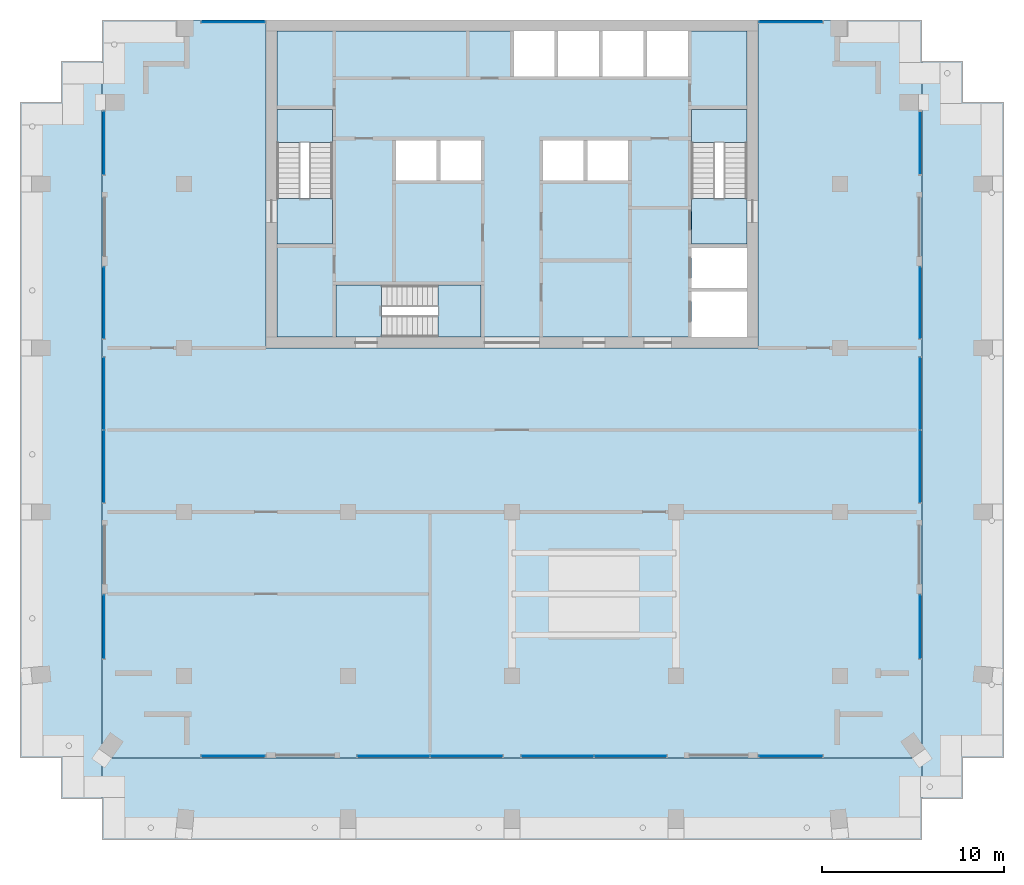
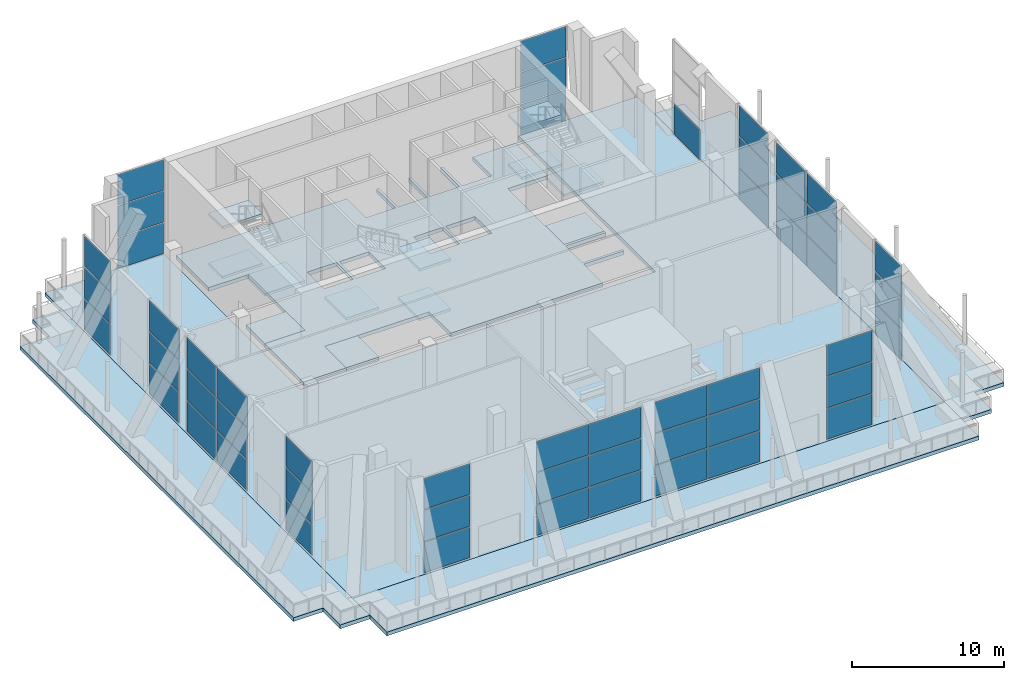
# One storey, part 6 of 12: 52 plates, 17 slabs, 17 elements without a shape of their own.
"""IFC4 building model written with IfcOpenShell, lengths in metres."""

from ifc_helpers import new_model, si_unit, direction, frame, origin, origin_2d, place, context, subcontext, project, spatial, polyline, rectangle, outline, extrude, material, layer, layer_set, type_object, element, aggregate, save


model = new_model("IFC4")

# Units and contexts
model_context = context("Model", 3, precision=1e-05, world=origin(), true_north=direction((0.0, 1.0)))
body_context = subcontext(model_context, "Body", "Model", "MODEL_VIEW")
ifc_project = project(units=[si_unit("LENGTHUNIT", "METRE"), si_unit("AREAUNIT", "SQUARE_METRE"), si_unit("VOLUMEUNIT", "CUBIC_METRE"), si_unit("PLANEANGLEUNIT", "RADIAN"), si_unit("MASSUNIT", "GRAM", prefix="KILO")], contexts=[model_context])

# Site, building, storey
site_placement = place(None, origin())
site = spatial("IfcSite", under=ifc_project, at=site_placement, CompositionType="ELEMENT")
building_placement = place(site_placement, origin())
building = spatial("IfcBuilding", under=site, at=building_placement, Name="Orbiselva Terraces", CompositionType="ELEMENT")
storey_placement = place(building_placement, frame((0.0, 0.0, 289.4)))
storey = spatial("IfcBuildingStorey", under=building, at=storey_placement, Name="L73", CompositionType="ELEMENT", Elevation=289.4)

# Slabs
ifc_material_1 = material(Name="Concrete C40/50", Category="concrete")
ifc_layer_1 = layer(ifc_material_1, 0.3)
ifc_layer_set_1 = layer_set([ifc_layer_1], Name="Concrete C40/50")
slab_type_1 = type_object("IfcSlabType", Name="CORE-SLAB-FLOOR-300", PredefinedType="FLOOR", material=ifc_layer_set_1)
slab_1_placement = place(storey_placement, frame((0.0, 0.0, -0.3)))
element("IfcSlab", 1, at=slab_1_placement, inside=storey, type_object=slab_type_1, Name="L73 S1 floor landing", PredefinedType="FLOOR", context=body_context, shape_type="SweptSolid", body=[
    extrude(outline(polyline([(-12.9, 12.7), (-9.85, 12.7), (-9.85, 10.2), (-12.9, 10.2), (-12.9, 12.7)])), origin(), (0.0, 0.0, 1.0), 0.3),
])
slab_2_placement = place(storey_placement, frame((0.0, 0.0, -0.3)))
element("IfcSlab", 2, at=slab_2_placement, inside=storey, type_object=slab_type_1, Name="L73 S2 floor landing", PredefinedType="FLOOR", context=body_context, shape_type="SweptSolid", body=[
    extrude(outline(polyline([(12.9, 12.7), (12.9, 10.2), (9.85, 10.2), (9.85, 12.7), (12.9, 12.7)])), origin(), (0.0, 0.0, 1.0), 0.3),
])
slab_3_placement = place(storey_placement, frame((0.0, 0.0, -0.3)))
element("IfcSlab", 3, at=slab_3_placement, inside=storey, type_object=slab_type_1, Name="L73 S3 floor landing", PredefinedType="FLOOR", context=body_context, shape_type="SweptSolid", body=[
    extrude(outline(polyline([(-7.15, 5.1), (-9.65, 5.1), (-9.65, 7.95), (-7.15, 7.95), (-7.15, 5.1)])), origin(), (0.0, 0.0, 1.0), 0.3),
])
slab_4_placement = place(storey_placement, frame((0.0, 0.0, -0.3)))
element("IfcSlab", 4, at=slab_4_placement, inside=storey, type_object=slab_type_1, Name="L73 core floor slab 1", PredefinedType="FLOOR", context=body_context, shape_type="SweptSolid", body=[
    extrude(outline(polyline([(-1.7, 5.1), (-1.7, 7.95), (-9.65, 7.95), (-9.65, 5.1), (-12.9, 5.1), (-12.9, 10.2), (-9.85, 10.2), (-9.85, 17.6), (-12.9, 17.6), (-12.9, 21.9), (0.1, 21.9), (0.1, 19.4), (2.3375, 19.4), (2.3375, 21.9), (2.5375, 21.9), (2.5375, 19.4), (4.775, 19.4), (4.775, 21.9), (4.975, 21.9), (4.975, 19.4), (7.2125, 19.4), (7.2125, 21.9), (7.4125, 21.9), (7.4125, 19.4), (9.65, 19.4), (9.65, 21.9), (12.9, 21.9), (12.9, 17.6), (9.85, 17.6), (9.85, 10.2), (12.9, 10.2), (12.9, 10.0), (9.85, 10.0), (9.85, 7.8), (12.9, 7.8), (12.9, 7.6), (9.85, 7.6), (9.85, 5.1), (-1.7, 5.1)]), holes=[polyline([(-4.1375, 13.7), (-4.1375, 15.9), (-6.375, 15.9), (-6.375, 13.7), (-4.1375, 13.7)]), polyline([(-1.7, 13.7), (-1.7, 15.9), (-3.9375, 15.9), (-3.9375, 13.7), (-1.7, 13.7)]), polyline([(3.9375, 15.9), (1.7, 15.9), (1.7, 13.7), (3.9375, 13.7), (3.9375, 15.9)]), polyline([(6.375, 13.7), (6.375, 15.9), (4.1375, 15.9), (4.1375, 13.7), (6.375, 13.7)])]), origin(), (0.0, 0.0, 1.0), 0.3),
])

# Stair, slabs
stair_type_1 = type_object("IfcStairType", Name="CORE-STAIR-1300", PredefinedType="HALF_TURN_STAIR", material=ifc_material_1)
stair_1_placement = place(storey_placement, origin())
stair_1 = element("IfcStair", 5, at=stair_1_placement, inside=storey, type_object=stair_type_1, Name="L73 Exit Stair S1", PredefinedType="HALF_TURN_STAIR")
ifc_layer_2 = layer(ifc_material_1, 0.2)
ifc_layer_set_2 = layer_set([ifc_layer_2], Name="Concrete C40/50")
slab_type_2 = type_object("IfcSlabType", Name="CORE-STAIR-LANDING-200", PredefinedType="LANDING", material=ifc_layer_set_2)
slab_5_placement = place(storey_placement, frame((0.0, 0.0, 1.8)))
slab_5 = element("IfcSlab", 6, at=slab_5_placement, type_object=slab_type_2, Name="S1 landing 1", PredefinedType="LANDING", context=body_context, shape_type="SweptSolid", body=[
    extrude(outline(polyline([(-9.85, 15.78), (-9.85, 17.6), (-12.9, 17.6), (-12.9, 15.78), (-9.85, 15.78)])), origin(), (0.0, 0.0, 1.0), 0.2),
])
slab_6_placement = place(storey_placement, frame((0.0, 0.0, 3.8)))
slab_6 = element("IfcSlab", 7, at=slab_6_placement, type_object=slab_type_2, Name="S1 landing 2", PredefinedType="LANDING", context=body_context, shape_type="SweptSolid", body=[
    extrude(outline(polyline([(-9.85, 10.2), (-9.85, 12.7), (-12.9, 12.7), (-12.9, 10.2), (-9.85, 10.2)])), origin(), (0.0, 0.0, 1.0), 0.2),
])
slab_7_placement = place(storey_placement, frame((0.0, 0.0, 5.8)))
slab_7 = element("IfcSlab", 8, at=slab_7_placement, type_object=slab_type_2, Name="S1 landing 3", PredefinedType="LANDING", context=body_context, shape_type="SweptSolid", body=[
    extrude(outline(polyline([(-9.85, 15.78), (-9.85, 17.6), (-12.9, 17.6), (-12.9, 15.78), (-9.85, 15.78)])), origin(), (0.0, 0.0, 1.0), 0.2),
])
aggregate(stair_1, [slab_5, slab_6, slab_7])

stair_2_placement = place(storey_placement, origin())
stair_2 = element("IfcStair", 9, at=stair_2_placement, inside=storey, type_object=stair_type_1, Name="L73 Exit Stair S2", PredefinedType="HALF_TURN_STAIR")
slab_8_placement = place(storey_placement, frame((0.0, 0.0, 1.8)))
slab_8 = element("IfcSlab", 10, at=slab_8_placement, type_object=slab_type_2, Name="S2 landing 1", PredefinedType="LANDING", context=body_context, shape_type="SweptSolid", body=[
    extrude(outline(polyline([(12.9, 15.78), (12.9, 17.6), (9.85, 17.6), (9.85, 15.78), (12.9, 15.78)])), origin(), (0.0, 0.0, 1.0), 0.2),
])
slab_9_placement = place(storey_placement, frame((0.0, 0.0, 3.8)))
slab_9 = element("IfcSlab", 11, at=slab_9_placement, type_object=slab_type_2, Name="S2 landing 2", PredefinedType="LANDING", context=body_context, shape_type="SweptSolid", body=[
    extrude(outline(polyline([(12.9, 10.2), (12.9, 12.7), (9.85, 12.7), (9.85, 10.2), (12.9, 10.2)])), origin(), (0.0, 0.0, 1.0), 0.2),
])
slab_10_placement = place(storey_placement, frame((0.0, 0.0, 5.8)))
slab_10 = element("IfcSlab", 12, at=slab_10_placement, type_object=slab_type_2, Name="S2 landing 3", PredefinedType="LANDING", context=body_context, shape_type="SweptSolid", body=[
    extrude(outline(polyline([(12.9, 15.78), (12.9, 17.6), (9.85, 17.6), (9.85, 15.78), (12.9, 15.78)])), origin(), (0.0, 0.0, 1.0), 0.2),
])
aggregate(stair_2, [slab_8, slab_9, slab_10])

stair_type_2 = type_object("IfcStairType", Name="CORE-STAIR-1200", PredefinedType="HALF_TURN_STAIR", material=ifc_material_1)
stair_3_placement = place(storey_placement, origin())
stair_3 = element("IfcStair", 13, at=stair_3_placement, inside=storey, type_object=stair_type_2, Name="L73 Exit Stair S3", PredefinedType="HALF_TURN_STAIR")
slab_11_placement = place(storey_placement, frame((0.0, 0.0, 1.8)))
slab_11 = element("IfcSlab", 14, at=slab_11_placement, type_object=slab_type_2, Name="S3 landing 1", PredefinedType="LANDING", context=body_context, shape_type="SweptSolid", body=[
    extrude(outline(polyline([(-4.07, 5.1), (-1.7, 5.1), (-1.7, 7.95), (-4.07, 7.95), (-4.07, 5.1)])), origin(), (0.0, 0.0, 1.0), 0.2),
])
slab_12_placement = place(storey_placement, frame((0.0, 0.0, 3.8)))
slab_12 = element("IfcSlab", 15, at=slab_12_placement, type_object=slab_type_2, Name="S3 landing 2", PredefinedType="LANDING", context=body_context, shape_type="SweptSolid", body=[
    extrude(outline(polyline([(-9.65, 5.1), (-7.15, 5.1), (-7.15, 7.95), (-9.65, 7.95), (-9.65, 5.1)])), origin(), (0.0, 0.0, 1.0), 0.2),
])
slab_13_placement = place(storey_placement, frame((0.0, 0.0, 5.8)))
slab_13 = element("IfcSlab", 16, at=slab_13_placement, type_object=slab_type_2, Name="S3 landing 3", PredefinedType="LANDING", context=body_context, shape_type="SweptSolid", body=[
    extrude(outline(polyline([(-4.07, 5.1), (-1.7, 5.1), (-1.7, 7.95), (-4.07, 7.95), (-4.07, 5.1)])), origin(), (0.0, 0.0, 1.0), 0.2),
])
aggregate(stair_3, [slab_11, slab_12, slab_13])

# Curtain wall, plates
ifc_material_2 = material(Name="Clear low-e glazing in aluminium frame", Category="aluminium")
curtain_wall_type = type_object("IfcCurtainWallType", Name="ENV-CW-TMD", PredefinedType="NOTDEFINED", material=ifc_material_2)
curtain_wall_1_placement = place(storey_placement, origin())
curtain_wall_1 = element("IfcCurtainWall", 17, at=curtain_wall_1_placement, inside=storey, type_object=curtain_wall_type, Name="Curtain wall L73 S", PredefinedType="NOTDEFINED")
ifc_material_3 = material(Name="Clear low-e glass", Category="glass")
ifc_layer_3 = layer(ifc_material_3, 0.028)
ifc_layer_set_3 = layer_set([ifc_layer_3], Name="Clear low-e glass")
plate_type = type_object("IfcPlateType", Name="ENV-CW-TMD-PANEL-28", PredefinedType="CURTAIN_PANEL", material=ifc_layer_set_3)
plate_1_placement = place(storey_placement, frame((-15.3, -17.9, 0.075), z_axis=(0.0, 0.0, 1.0), x_axis=(1.0, 0.0, 0.0)))
plate_1 = element("IfcPlate", 18, at=plate_1_placement, type_object=plate_type, Name="CW4 panel 1.1", PredefinedType="CURTAIN_PANEL", context=body_context, shape_type="SweptSolid", body=[
    extrude(rectangle(XDim=3.45, YDim=0.028, at=origin_2d()), origin(), (0.0, 0.0, 1.0), 2.454167),
])
plate_2_placement = place(storey_placement, frame((-15.3, -17.9, 2.604167), z_axis=(0.0, 0.0, 1.0), x_axis=(1.0, 0.0, 0.0)))
plate_2 = element("IfcPlate", 19, at=plate_2_placement, type_object=plate_type, Name="CW4 panel 1.2", PredefinedType="CURTAIN_PANEL", context=body_context, shape_type="SweptSolid", body=[
    extrude(rectangle(XDim=3.45, YDim=0.028, at=origin_2d()), origin(), (0.0, 0.0, 1.0), 2.491667),
])
plate_3_placement = place(storey_placement, frame((-15.3, -17.9, 5.170834), z_axis=(0.0, 0.0, 1.0), x_axis=(1.0, 0.0, 0.0)))
plate_3 = element("IfcPlate", 20, at=plate_3_placement, type_object=plate_type, Name="CW4 panel 1.3", PredefinedType="CURTAIN_PANEL", context=body_context, shape_type="SweptSolid", body=[
    extrude(rectangle(XDim=3.45, YDim=0.028, at=origin_2d()), origin(), (0.0, 0.0, 1.0), 2.454167),
])
aggregate(curtain_wall_1, [plate_1, plate_2, plate_3])

curtain_wall_2_placement = place(storey_placement, origin())
curtain_wall_2 = element("IfcCurtainWall", 21, at=curtain_wall_2_placement, inside=storey, type_object=curtain_wall_type, Name="Curtain wall L73 S", PredefinedType="NOTDEFINED")
plate_4_placement = place(storey_placement, frame((-6.50625, -17.9, 0.075), z_axis=(0.0, 0.0, 1.0), x_axis=(1.0, 0.0, 0.0)))
plate_4 = element("IfcPlate", 22, at=plate_4_placement, type_object=plate_type, Name="CW4 panel 1.1", PredefinedType="CURTAIN_PANEL", context=body_context, shape_type="SweptSolid", body=[
    extrude(rectangle(XDim=3.9375, YDim=0.028, at=origin_2d()), origin(), (0.0, 0.0, 1.0), 2.454167),
])
plate_5_placement = place(storey_placement, frame((-6.50625, -17.9, 2.604167), z_axis=(0.0, 0.0, 1.0), x_axis=(1.0, 0.0, 0.0)))
plate_5 = element("IfcPlate", 23, at=plate_5_placement, type_object=plate_type, Name="CW4 panel 1.2", PredefinedType="CURTAIN_PANEL", context=body_context, shape_type="SweptSolid", body=[
    extrude(rectangle(XDim=3.9375, YDim=0.028, at=origin_2d()), origin(), (0.0, 0.0, 1.0), 2.491667),
])
plate_6_placement = place(storey_placement, frame((-6.50625, -17.9, 5.170834), z_axis=(0.0, 0.0, 1.0), x_axis=(1.0, 0.0, 0.0)))
plate_6 = element("IfcPlate", 24, at=plate_6_placement, type_object=plate_type, Name="CW4 panel 1.3", PredefinedType="CURTAIN_PANEL", context=body_context, shape_type="SweptSolid", body=[
    extrude(rectangle(XDim=3.9375, YDim=0.028, at=origin_2d()), origin(), (0.0, 0.0, 1.0), 2.454167),
])
plate_7_placement = place(storey_placement, frame((-2.49375, -17.9, 0.075), z_axis=(0.0, 0.0, 1.0), x_axis=(1.0, 0.0, 0.0)))
plate_7 = element("IfcPlate", 25, at=plate_7_placement, type_object=plate_type, Name="CW4 panel 2.1", PredefinedType="CURTAIN_PANEL", context=body_context, shape_type="SweptSolid", body=[
    extrude(rectangle(XDim=3.9375, YDim=0.028, at=origin_2d()), origin(), (0.0, 0.0, 1.0), 2.454167),
])
plate_8_placement = place(storey_placement, frame((-2.49375, -17.9, 2.604167), z_axis=(0.0, 0.0, 1.0), x_axis=(1.0, 0.0, 0.0)))
plate_8 = element("IfcPlate", 26, at=plate_8_placement, type_object=plate_type, Name="CW4 panel 2.2", PredefinedType="CURTAIN_PANEL", context=body_context, shape_type="SweptSolid", body=[
    extrude(rectangle(XDim=3.9375, YDim=0.028, at=origin_2d()), origin(), (0.0, 0.0, 1.0), 2.491667),
])
plate_9_placement = place(storey_placement, frame((-2.49375, -17.9, 5.170834), z_axis=(0.0, 0.0, 1.0), x_axis=(1.0, 0.0, 0.0)))
plate_9 = element("IfcPlate", 27, at=plate_9_placement, type_object=plate_type, Name="CW4 panel 2.3", PredefinedType="CURTAIN_PANEL", context=body_context, shape_type="SweptSolid", body=[
    extrude(rectangle(XDim=3.9375, YDim=0.028, at=origin_2d()), origin(), (0.0, 0.0, 1.0), 2.454167),
])
aggregate(curtain_wall_2, [plate_4, plate_5, plate_6, plate_7, plate_8, plate_9])

curtain_wall_3_placement = place(storey_placement, origin())
curtain_wall_3 = element("IfcCurtainWall", 28, at=curtain_wall_3_placement, inside=storey, type_object=curtain_wall_type, Name="Curtain wall L73 S", PredefinedType="NOTDEFINED")
plate_10_placement = place(storey_placement, frame((2.49375, -17.9, 0.075), z_axis=(0.0, 0.0, 1.0), x_axis=(1.0, 0.0, 0.0)))
plate_10 = element("IfcPlate", 29, at=plate_10_placement, type_object=plate_type, Name="CW4 panel 1.1", PredefinedType="CURTAIN_PANEL", context=body_context, shape_type="SweptSolid", body=[
    extrude(rectangle(XDim=3.9375, YDim=0.028, at=origin_2d()), origin(), (0.0, 0.0, 1.0), 2.454167),
])
plate_11_placement = place(storey_placement, frame((2.49375, -17.9, 2.604167), z_axis=(0.0, 0.0, 1.0), x_axis=(1.0, 0.0, 0.0)))
plate_11 = element("IfcPlate", 30, at=plate_11_placement, type_object=plate_type, Name="CW4 panel 1.2", PredefinedType="CURTAIN_PANEL", context=body_context, shape_type="SweptSolid", body=[
    extrude(rectangle(XDim=3.9375, YDim=0.028, at=origin_2d()), origin(), (0.0, 0.0, 1.0), 2.491667),
])
plate_12_placement = place(storey_placement, frame((2.49375, -17.9, 5.170834), z_axis=(0.0, 0.0, 1.0), x_axis=(1.0, 0.0, 0.0)))
plate_12 = element("IfcPlate", 31, at=plate_12_placement, type_object=plate_type, Name="CW4 panel 1.3", PredefinedType="CURTAIN_PANEL", context=body_context, shape_type="SweptSolid", body=[
    extrude(rectangle(XDim=3.9375, YDim=0.028, at=origin_2d()), origin(), (0.0, 0.0, 1.0), 2.454167),
])
plate_13_placement = place(storey_placement, frame((6.50625, -17.9, 0.075), z_axis=(0.0, 0.0, 1.0), x_axis=(1.0, 0.0, 0.0)))
plate_13 = element("IfcPlate", 32, at=plate_13_placement, type_object=plate_type, Name="CW4 panel 2.1", PredefinedType="CURTAIN_PANEL", context=body_context, shape_type="SweptSolid", body=[
    extrude(rectangle(XDim=3.9375, YDim=0.028, at=origin_2d()), origin(), (0.0, 0.0, 1.0), 2.454167),
])
plate_14_placement = place(storey_placement, frame((6.50625, -17.9, 2.604167), z_axis=(0.0, 0.0, 1.0), x_axis=(1.0, 0.0, 0.0)))
plate_14 = element("IfcPlate", 33, at=plate_14_placement, type_object=plate_type, Name="CW4 panel 2.2", PredefinedType="CURTAIN_PANEL", context=body_context, shape_type="SweptSolid", body=[
    extrude(rectangle(XDim=3.9375, YDim=0.028, at=origin_2d()), origin(), (0.0, 0.0, 1.0), 2.491667),
])
plate_15_placement = place(storey_placement, frame((6.50625, -17.9, 5.170834), z_axis=(0.0, 0.0, 1.0), x_axis=(1.0, 0.0, 0.0)))
plate_15 = element("IfcPlate", 34, at=plate_15_placement, type_object=plate_type, Name="CW4 panel 2.3", PredefinedType="CURTAIN_PANEL", context=body_context, shape_type="SweptSolid", body=[
    extrude(rectangle(XDim=3.9375, YDim=0.028, at=origin_2d()), origin(), (0.0, 0.0, 1.0), 2.454167),
])
aggregate(curtain_wall_3, [plate_10, plate_11, plate_12, plate_13, plate_14, plate_15])

curtain_wall_4_placement = place(storey_placement, origin())
curtain_wall_4 = element("IfcCurtainWall", 35, at=curtain_wall_4_placement, inside=storey, type_object=curtain_wall_type, Name="Curtain wall L73 S", PredefinedType="NOTDEFINED")
plate_16_placement = place(storey_placement, frame((15.3, -17.9, 0.075), z_axis=(0.0, 0.0, 1.0), x_axis=(1.0, 0.0, 0.0)))
plate_16 = element("IfcPlate", 36, at=plate_16_placement, type_object=plate_type, Name="CW4 panel 1.1", PredefinedType="CURTAIN_PANEL", context=body_context, shape_type="SweptSolid", body=[
    extrude(rectangle(XDim=3.45, YDim=0.028, at=origin_2d()), origin(), (0.0, 0.0, 1.0), 2.454167),
])
plate_17_placement = place(storey_placement, frame((15.3, -17.9, 2.604167), z_axis=(0.0, 0.0, 1.0), x_axis=(1.0, 0.0, 0.0)))
plate_17 = element("IfcPlate", 37, at=plate_17_placement, type_object=plate_type, Name="CW4 panel 1.2", PredefinedType="CURTAIN_PANEL", context=body_context, shape_type="SweptSolid", body=[
    extrude(rectangle(XDim=3.45, YDim=0.028, at=origin_2d()), origin(), (0.0, 0.0, 1.0), 2.491667),
])
plate_18_placement = place(storey_placement, frame((15.3, -17.9, 5.170834), z_axis=(0.0, 0.0, 1.0), x_axis=(1.0, 0.0, 0.0)))
plate_18 = element("IfcPlate", 38, at=plate_18_placement, type_object=plate_type, Name="CW4 panel 1.3", PredefinedType="CURTAIN_PANEL", context=body_context, shape_type="SweptSolid", body=[
    extrude(rectangle(XDim=3.45, YDim=0.028, at=origin_2d()), origin(), (0.0, 0.0, 1.0), 2.454167),
])
aggregate(curtain_wall_4, [plate_16, plate_17, plate_18])

curtain_wall_5_placement = place(storey_placement, origin())
curtain_wall_5 = element("IfcCurtainWall", 39, at=curtain_wall_5_placement, inside=storey, type_object=curtain_wall_type, Name="Curtain wall L73 E", PredefinedType="NOTDEFINED")
plate_19_placement = place(storey_placement, frame((22.4, -10.8, 0.075), z_axis=(0.0, 0.0, 1.0), x_axis=(0.0, 1.0, 0.0)))
plate_19 = element("IfcPlate", 40, at=plate_19_placement, type_object=plate_type, Name="CW4 panel 1.1", PredefinedType="CURTAIN_PANEL", context=body_context, shape_type="SweptSolid", body=[
    extrude(rectangle(XDim=3.45, YDim=0.028, at=origin_2d()), origin(), (0.0, 0.0, 1.0), 2.454167),
])
plate_20_placement = place(storey_placement, frame((22.4, -10.8, 2.604167), z_axis=(0.0, 0.0, 1.0), x_axis=(0.0, 1.0, 0.0)))
plate_20 = element("IfcPlate", 41, at=plate_20_placement, type_object=plate_type, Name="CW4 panel 1.2", PredefinedType="CURTAIN_PANEL", context=body_context, shape_type="SweptSolid", body=[
    extrude(rectangle(XDim=3.45, YDim=0.028, at=origin_2d()), origin(), (0.0, 0.0, 1.0), 2.491667),
])
plate_21_placement = place(storey_placement, frame((22.4, -10.8, 5.170834), z_axis=(0.0, 0.0, 1.0), x_axis=(0.0, 1.0, 0.0)))
plate_21 = element("IfcPlate", 42, at=plate_21_placement, type_object=plate_type, Name="CW4 panel 1.3", PredefinedType="CURTAIN_PANEL", context=body_context, shape_type="SweptSolid", body=[
    extrude(rectangle(XDim=3.45, YDim=0.028, at=origin_2d()), origin(), (0.0, 0.0, 1.0), 2.454167),
])
aggregate(curtain_wall_5, [plate_19, plate_20, plate_21])

curtain_wall_6_placement = place(storey_placement, origin())
curtain_wall_6 = element("IfcCurtainWall", 43, at=curtain_wall_6_placement, inside=storey, type_object=curtain_wall_type, Name="Curtain wall L73 E", PredefinedType="NOTDEFINED")
plate_22_placement = place(storey_placement, frame((22.4, -2.00625, 0.075), z_axis=(0.0, 0.0, 1.0), x_axis=(0.0, 1.0, 0.0)))
plate_22 = element("IfcPlate", 44, at=plate_22_placement, type_object=plate_type, Name="CW4 panel 1.1", PredefinedType="CURTAIN_PANEL", context=body_context, shape_type="SweptSolid", body=[
    extrude(rectangle(XDim=3.9375, YDim=0.028, at=origin_2d()), origin(), (0.0, 0.0, 1.0), 2.454167),
])
plate_23_placement = place(storey_placement, frame((22.4, -2.00625, 2.604167), z_axis=(0.0, 0.0, 1.0), x_axis=(0.0, 1.0, 0.0)))
plate_23 = element("IfcPlate", 45, at=plate_23_placement, type_object=plate_type, Name="CW4 panel 1.2", PredefinedType="CURTAIN_PANEL", context=body_context, shape_type="SweptSolid", body=[
    extrude(rectangle(XDim=3.9375, YDim=0.028, at=origin_2d()), origin(), (0.0, 0.0, 1.0), 2.491667),
])
plate_24_placement = place(storey_placement, frame((22.4, -2.00625, 5.170834), z_axis=(0.0, 0.0, 1.0), x_axis=(0.0, 1.0, 0.0)))
plate_24 = element("IfcPlate", 46, at=plate_24_placement, type_object=plate_type, Name="CW4 panel 1.3", PredefinedType="CURTAIN_PANEL", context=body_context, shape_type="SweptSolid", body=[
    extrude(rectangle(XDim=3.9375, YDim=0.028, at=origin_2d()), origin(), (0.0, 0.0, 1.0), 2.454167),
])
plate_25_placement = place(storey_placement, frame((22.4, 2.00625, 0.075), z_axis=(0.0, 0.0, 1.0), x_axis=(0.0, 1.0, 0.0)))
plate_25 = element("IfcPlate", 47, at=plate_25_placement, type_object=plate_type, Name="CW4 panel 2.1", PredefinedType="CURTAIN_PANEL", context=body_context, shape_type="SweptSolid", body=[
    extrude(rectangle(XDim=3.9375, YDim=0.028, at=origin_2d()), origin(), (0.0, 0.0, 1.0), 2.454167),
])
plate_26_placement = place(storey_placement, frame((22.4, 2.00625, 2.604167), z_axis=(0.0, 0.0, 1.0), x_axis=(0.0, 1.0, 0.0)))
plate_26 = element("IfcPlate", 48, at=plate_26_placement, type_object=plate_type, Name="CW4 panel 2.2", PredefinedType="CURTAIN_PANEL", context=body_context, shape_type="SweptSolid", body=[
    extrude(rectangle(XDim=3.9375, YDim=0.028, at=origin_2d()), origin(), (0.0, 0.0, 1.0), 2.491667),
])
plate_27_placement = place(storey_placement, frame((22.4, 2.00625, 5.170834), z_axis=(0.0, 0.0, 1.0), x_axis=(0.0, 1.0, 0.0)))
plate_27 = element("IfcPlate", 49, at=plate_27_placement, type_object=plate_type, Name="CW4 panel 2.3", PredefinedType="CURTAIN_PANEL", context=body_context, shape_type="SweptSolid", body=[
    extrude(rectangle(XDim=3.9375, YDim=0.028, at=origin_2d()), origin(), (0.0, 0.0, 1.0), 2.454167),
])
aggregate(curtain_wall_6, [plate_22, plate_23, plate_24, plate_25, plate_26, plate_27])

curtain_wall_7_placement = place(storey_placement, origin())
curtain_wall_7 = element("IfcCurtainWall", 50, at=curtain_wall_7_placement, inside=storey, type_object=curtain_wall_type, Name="Curtain wall L73 E", PredefinedType="NOTDEFINED")
plate_28_placement = place(storey_placement, frame((22.4, 6.975, 0.075), z_axis=(0.0, 0.0, 1.0), x_axis=(0.0, 1.0, 0.0)))
plate_28 = element("IfcPlate", 51, at=plate_28_placement, type_object=plate_type, Name="CW4 panel 1.1", PredefinedType="CURTAIN_PANEL", context=body_context, shape_type="SweptSolid", body=[
    extrude(rectangle(XDim=3.9, YDim=0.028, at=origin_2d()), origin(), (0.0, 0.0, 1.0), 2.454167),
])
plate_29_placement = place(storey_placement, frame((22.4, 6.975, 2.604167), z_axis=(0.0, 0.0, 1.0), x_axis=(0.0, 1.0, 0.0)))
plate_29 = element("IfcPlate", 52, at=plate_29_placement, type_object=plate_type, Name="CW4 panel 1.2", PredefinedType="CURTAIN_PANEL", context=body_context, shape_type="SweptSolid", body=[
    extrude(rectangle(XDim=3.9, YDim=0.028, at=origin_2d()), origin(), (0.0, 0.0, 1.0), 2.491667),
])
plate_30_placement = place(storey_placement, frame((22.4, 6.975, 5.170834), z_axis=(0.0, 0.0, 1.0), x_axis=(0.0, 1.0, 0.0)))
plate_30 = element("IfcPlate", 53, at=plate_30_placement, type_object=plate_type, Name="CW4 panel 1.3", PredefinedType="CURTAIN_PANEL", context=body_context, shape_type="SweptSolid", body=[
    extrude(rectangle(XDim=3.9, YDim=0.028, at=origin_2d()), origin(), (0.0, 0.0, 1.0), 2.454167),
])
aggregate(curtain_wall_7, [plate_28, plate_29, plate_30])

# Curtain wall, plate
curtain_wall_8_placement = place(storey_placement, origin())
curtain_wall_8 = element("IfcCurtainWall", 54, at=curtain_wall_8_placement, inside=storey, type_object=curtain_wall_type, Name="Curtain wall L73 E", PredefinedType="NOTDEFINED")
plate_31_placement = place(storey_placement, frame((22.4, 15.75, 0.075), z_axis=(0.0, 0.0, 1.0), x_axis=(0.0, 1.0, 0.0)))
plate_31 = element("IfcPlate", 55, at=plate_31_placement, type_object=plate_type, Name="CW4 panel 1.1", PredefinedType="CURTAIN_PANEL", context=body_context, shape_type="SweptSolid", body=[
    extrude(rectangle(XDim=3.45, YDim=0.028, at=origin_2d()), origin(), (0.0, 0.0, 1.0), 2.454167),
])
aggregate(curtain_wall_8, [plate_31])

# Curtain wall, plates
curtain_wall_9_placement = place(storey_placement, origin())
curtain_wall_9 = element("IfcCurtainWall", 56, at=curtain_wall_9_placement, inside=storey, type_object=curtain_wall_type, Name="Curtain wall L73 NE", PredefinedType="NOTDEFINED")
plate_32_placement = place(storey_placement, frame((15.3, 22.4, 0.075), z_axis=(0.0, 0.0, 1.0), x_axis=(-1.0, 0.0, 0.0)))
plate_32 = element("IfcPlate", 57, at=plate_32_placement, type_object=plate_type, Name="CW4 panel 1.1", PredefinedType="CURTAIN_PANEL", context=body_context, shape_type="SweptSolid", body=[
    extrude(rectangle(XDim=3.45, YDim=0.028, at=origin_2d()), origin(), (0.0, 0.0, 1.0), 2.454167),
])
plate_33_placement = place(storey_placement, frame((15.3, 22.4, 2.604167), z_axis=(0.0, 0.0, 1.0), x_axis=(-1.0, 0.0, 0.0)))
plate_33 = element("IfcPlate", 58, at=plate_33_placement, type_object=plate_type, Name="CW4 panel 1.2", PredefinedType="CURTAIN_PANEL", context=body_context, shape_type="SweptSolid", body=[
    extrude(rectangle(XDim=3.45, YDim=0.028, at=origin_2d()), origin(), (0.0, 0.0, 1.0), 2.491667),
])
plate_34_placement = place(storey_placement, frame((15.3, 22.4, 5.170834), z_axis=(0.0, 0.0, 1.0), x_axis=(-1.0, 0.0, 0.0)))
plate_34 = element("IfcPlate", 59, at=plate_34_placement, type_object=plate_type, Name="CW4 panel 1.3", PredefinedType="CURTAIN_PANEL", context=body_context, shape_type="SweptSolid", body=[
    extrude(rectangle(XDim=3.45, YDim=0.028, at=origin_2d()), origin(), (0.0, 0.0, 1.0), 2.454167),
])
aggregate(curtain_wall_9, [plate_32, plate_33, plate_34])

curtain_wall_10_placement = place(storey_placement, origin())
curtain_wall_10 = element("IfcCurtainWall", 60, at=curtain_wall_10_placement, inside=storey, type_object=curtain_wall_type, Name="Curtain wall L73 NW", PredefinedType="NOTDEFINED")
plate_35_placement = place(storey_placement, frame((-15.3, 22.4, 0.075), z_axis=(0.0, 0.0, 1.0), x_axis=(-1.0, 0.0, 0.0)))
plate_35 = element("IfcPlate", 61, at=plate_35_placement, type_object=plate_type, Name="CW4 panel 1.1", PredefinedType="CURTAIN_PANEL", context=body_context, shape_type="SweptSolid", body=[
    extrude(rectangle(XDim=3.45, YDim=0.028, at=origin_2d()), origin(), (0.0, 0.0, 1.0), 2.454167),
])
plate_36_placement = place(storey_placement, frame((-15.3, 22.4, 2.604167), z_axis=(0.0, 0.0, 1.0), x_axis=(-1.0, 0.0, 0.0)))
plate_36 = element("IfcPlate", 62, at=plate_36_placement, type_object=plate_type, Name="CW4 panel 1.2", PredefinedType="CURTAIN_PANEL", context=body_context, shape_type="SweptSolid", body=[
    extrude(rectangle(XDim=3.45, YDim=0.028, at=origin_2d()), origin(), (0.0, 0.0, 1.0), 2.491667),
])
plate_37_placement = place(storey_placement, frame((-15.3, 22.4, 5.170834), z_axis=(0.0, 0.0, 1.0), x_axis=(-1.0, 0.0, 0.0)))
plate_37 = element("IfcPlate", 63, at=plate_37_placement, type_object=plate_type, Name="CW4 panel 1.3", PredefinedType="CURTAIN_PANEL", context=body_context, shape_type="SweptSolid", body=[
    extrude(rectangle(XDim=3.45, YDim=0.028, at=origin_2d()), origin(), (0.0, 0.0, 1.0), 2.454167),
])
aggregate(curtain_wall_10, [plate_35, plate_36, plate_37])

curtain_wall_11_placement = place(storey_placement, origin())
curtain_wall_11 = element("IfcCurtainWall", 64, at=curtain_wall_11_placement, inside=storey, type_object=curtain_wall_type, Name="Curtain wall L73 W", PredefinedType="NOTDEFINED")
plate_38_placement = place(storey_placement, frame((-22.4, 15.75, 0.075), z_axis=(0.0, 0.0, 1.0), x_axis=(0.0, -1.0, 0.0)))
plate_38 = element("IfcPlate", 65, at=plate_38_placement, type_object=plate_type, Name="CW4 panel 1.1", PredefinedType="CURTAIN_PANEL", context=body_context, shape_type="SweptSolid", body=[
    extrude(rectangle(XDim=3.45, YDim=0.028, at=origin_2d()), origin(), (0.0, 0.0, 1.0), 2.454167),
])
plate_39_placement = place(storey_placement, frame((-22.4, 15.75, 2.604167), z_axis=(0.0, 0.0, 1.0), x_axis=(0.0, -1.0, 0.0)))
plate_39 = element("IfcPlate", 66, at=plate_39_placement, type_object=plate_type, Name="CW4 panel 1.2", PredefinedType="CURTAIN_PANEL", context=body_context, shape_type="SweptSolid", body=[
    extrude(rectangle(XDim=3.45, YDim=0.028, at=origin_2d()), origin(), (0.0, 0.0, 1.0), 2.491667),
])
plate_40_placement = place(storey_placement, frame((-22.4, 15.75, 5.170834), z_axis=(0.0, 0.0, 1.0), x_axis=(0.0, -1.0, 0.0)))
plate_40 = element("IfcPlate", 67, at=plate_40_placement, type_object=plate_type, Name="CW4 panel 1.3", PredefinedType="CURTAIN_PANEL", context=body_context, shape_type="SweptSolid", body=[
    extrude(rectangle(XDim=3.45, YDim=0.028, at=origin_2d()), origin(), (0.0, 0.0, 1.0), 2.454167),
])
aggregate(curtain_wall_11, [plate_38, plate_39, plate_40])

curtain_wall_12_placement = place(storey_placement, origin())
curtain_wall_12 = element("IfcCurtainWall", 68, at=curtain_wall_12_placement, inside=storey, type_object=curtain_wall_type, Name="Curtain wall L73 W", PredefinedType="NOTDEFINED")
plate_41_placement = place(storey_placement, frame((-22.4, 6.975, 0.075), z_axis=(0.0, 0.0, 1.0), x_axis=(0.0, -1.0, 0.0)))
plate_41 = element("IfcPlate", 69, at=plate_41_placement, type_object=plate_type, Name="CW4 panel 1.1", PredefinedType="CURTAIN_PANEL", context=body_context, shape_type="SweptSolid", body=[
    extrude(rectangle(XDim=3.9, YDim=0.028, at=origin_2d()), origin(), (0.0, 0.0, 1.0), 2.454167),
])
plate_42_placement = place(storey_placement, frame((-22.4, 6.975, 2.604167), z_axis=(0.0, 0.0, 1.0), x_axis=(0.0, -1.0, 0.0)))
plate_42 = element("IfcPlate", 70, at=plate_42_placement, type_object=plate_type, Name="CW4 panel 1.2", PredefinedType="CURTAIN_PANEL", context=body_context, shape_type="SweptSolid", body=[
    extrude(rectangle(XDim=3.9, YDim=0.028, at=origin_2d()), origin(), (0.0, 0.0, 1.0), 2.491667),
])
plate_43_placement = place(storey_placement, frame((-22.4, 6.975, 5.170834), z_axis=(0.0, 0.0, 1.0), x_axis=(0.0, -1.0, 0.0)))
plate_43 = element("IfcPlate", 71, at=plate_43_placement, type_object=plate_type, Name="CW4 panel 1.3", PredefinedType="CURTAIN_PANEL", context=body_context, shape_type="SweptSolid", body=[
    extrude(rectangle(XDim=3.9, YDim=0.028, at=origin_2d()), origin(), (0.0, 0.0, 1.0), 2.454167),
])
aggregate(curtain_wall_12, [plate_41, plate_42, plate_43])

curtain_wall_13_placement = place(storey_placement, origin())
curtain_wall_13 = element("IfcCurtainWall", 72, at=curtain_wall_13_placement, inside=storey, type_object=curtain_wall_type, Name="Curtain wall L73 W", PredefinedType="NOTDEFINED")
plate_44_placement = place(storey_placement, frame((-22.4, 2.00625, 0.075), z_axis=(0.0, 0.0, 1.0), x_axis=(0.0, -1.0, 0.0)))
plate_44 = element("IfcPlate", 73, at=plate_44_placement, type_object=plate_type, Name="CW4 panel 1.1", PredefinedType="CURTAIN_PANEL", context=body_context, shape_type="SweptSolid", body=[
    extrude(rectangle(XDim=3.9375, YDim=0.028, at=origin_2d()), origin(), (0.0, 0.0, 1.0), 2.454167),
])
plate_45_placement = place(storey_placement, frame((-22.4, 2.00625, 2.604167), z_axis=(0.0, 0.0, 1.0), x_axis=(0.0, -1.0, 0.0)))
plate_45 = element("IfcPlate", 74, at=plate_45_placement, type_object=plate_type, Name="CW4 panel 1.2", PredefinedType="CURTAIN_PANEL", context=body_context, shape_type="SweptSolid", body=[
    extrude(rectangle(XDim=3.9375, YDim=0.028, at=origin_2d()), origin(), (0.0, 0.0, 1.0), 2.491667),
])
plate_46_placement = place(storey_placement, frame((-22.4, 2.00625, 5.170834), z_axis=(0.0, 0.0, 1.0), x_axis=(0.0, -1.0, 0.0)))
plate_46 = element("IfcPlate", 75, at=plate_46_placement, type_object=plate_type, Name="CW4 panel 1.3", PredefinedType="CURTAIN_PANEL", context=body_context, shape_type="SweptSolid", body=[
    extrude(rectangle(XDim=3.9375, YDim=0.028, at=origin_2d()), origin(), (0.0, 0.0, 1.0), 2.454167),
])
plate_47_placement = place(storey_placement, frame((-22.4, -2.00625, 0.075), z_axis=(0.0, 0.0, 1.0), x_axis=(0.0, -1.0, 0.0)))
plate_47 = element("IfcPlate", 76, at=plate_47_placement, type_object=plate_type, Name="CW4 panel 2.1", PredefinedType="CURTAIN_PANEL", context=body_context, shape_type="SweptSolid", body=[
    extrude(rectangle(XDim=3.9375, YDim=0.028, at=origin_2d()), origin(), (0.0, 0.0, 1.0), 2.454167),
])
plate_48_placement = place(storey_placement, frame((-22.4, -2.00625, 2.604167), z_axis=(0.0, 0.0, 1.0), x_axis=(0.0, -1.0, 0.0)))
plate_48 = element("IfcPlate", 77, at=plate_48_placement, type_object=plate_type, Name="CW4 panel 2.2", PredefinedType="CURTAIN_PANEL", context=body_context, shape_type="SweptSolid", body=[
    extrude(rectangle(XDim=3.9375, YDim=0.028, at=origin_2d()), origin(), (0.0, 0.0, 1.0), 2.491667),
])
plate_49_placement = place(storey_placement, frame((-22.4, -2.00625, 5.170834), z_axis=(0.0, 0.0, 1.0), x_axis=(0.0, -1.0, 0.0)))
plate_49 = element("IfcPlate", 78, at=plate_49_placement, type_object=plate_type, Name="CW4 panel 2.3", PredefinedType="CURTAIN_PANEL", context=body_context, shape_type="SweptSolid", body=[
    extrude(rectangle(XDim=3.9375, YDim=0.028, at=origin_2d()), origin(), (0.0, 0.0, 1.0), 2.454167),
])
aggregate(curtain_wall_13, [plate_44, plate_45, plate_46, plate_47, plate_48, plate_49])

curtain_wall_14_placement = place(storey_placement, origin())
curtain_wall_14 = element("IfcCurtainWall", 79, at=curtain_wall_14_placement, inside=storey, type_object=curtain_wall_type, Name="Curtain wall L73 W", PredefinedType="NOTDEFINED")
plate_50_placement = place(storey_placement, frame((-22.4, -10.8, 0.075), z_axis=(0.0, 0.0, 1.0), x_axis=(0.0, -1.0, 0.0)))
plate_50 = element("IfcPlate", 80, at=plate_50_placement, type_object=plate_type, Name="CW4 panel 1.1", PredefinedType="CURTAIN_PANEL", context=body_context, shape_type="SweptSolid", body=[
    extrude(rectangle(XDim=3.45, YDim=0.028, at=origin_2d()), origin(), (0.0, 0.0, 1.0), 2.454167),
])
plate_51_placement = place(storey_placement, frame((-22.4, -10.8, 2.604167), z_axis=(0.0, 0.0, 1.0), x_axis=(0.0, -1.0, 0.0)))
plate_51 = element("IfcPlate", 81, at=plate_51_placement, type_object=plate_type, Name="CW4 panel 1.2", PredefinedType="CURTAIN_PANEL", context=body_context, shape_type="SweptSolid", body=[
    extrude(rectangle(XDim=3.45, YDim=0.028, at=origin_2d()), origin(), (0.0, 0.0, 1.0), 2.491667),
])
plate_52_placement = place(storey_placement, frame((-22.4, -10.8, 5.170834), z_axis=(0.0, 0.0, 1.0), x_axis=(0.0, -1.0, 0.0)))
plate_52 = element("IfcPlate", 82, at=plate_52_placement, type_object=plate_type, Name="CW4 panel 1.3", PredefinedType="CURTAIN_PANEL", context=body_context, shape_type="SweptSolid", body=[
    extrude(rectangle(XDim=3.45, YDim=0.028, at=origin_2d()), origin(), (0.0, 0.0, 1.0), 2.454167),
])
aggregate(curtain_wall_14, [plate_50, plate_51, plate_52])

# Slabs
ifc_material_4 = material(Name="Concrete C50/60", Category="concrete")
ifc_layer_4 = layer(ifc_material_4, 0.3)
ifc_layer_set_4 = layer_set([ifc_layer_4], Name="Concrete C50/60")
slab_type_3 = type_object("IfcSlabType", Name="FLOOR SLAB 300", PredefinedType="FLOOR", material=ifc_layer_set_4)
slab_14_placement = place(storey_placement, frame((0.0, 0.0, -0.3)))
element("IfcSlab", 83, at=slab_14_placement, inside=storey, type_object=slab_type_3, Name="Floor slab L73", PredefinedType="FLOOR", context=body_context, shape_type="SweptSolid", body=[
    extrude(outline(polyline([(22.5, 22.5), (22.5, -18.0), (-22.5, -18.0), (-22.5, 22.5), (-13.5, 22.5), (-13.5, 4.5), (13.5, 4.5), (13.5, 22.5), (22.5, 22.5)])), origin(), (0.0, 0.0, 1.0), 0.3),
])
ifc_layer_5 = layer(ifc_material_4, 0.3)
ifc_layer_set_5 = layer_set([ifc_layer_5], Name="Concrete C50/60")
slab_type_4 = type_object("IfcSlabType", Name="RING TERRACE SLAB 300", PredefinedType="FLOOR", material=ifc_layer_set_5)
slab_15_placement = place(storey_placement, frame((0.0, 0.0, -0.3)))
element("IfcSlab", 84, at=slab_15_placement, inside=storey, type_object=slab_type_4, Name="Ring terrace slab L73 part 1", PredefinedType="FLOOR", context=body_context, shape_type="SweptSolid", body=[
    extrude(outline(polyline([(-22.5, -20.25), (-22.5, 20.25), (-24.75, 20.25), (-24.75, 18.0), (-27.0, 18.0), (-27.0, -18.0), (-24.75, -18.0), (-24.75, -20.25), (-22.5, -20.25)])), origin(), (0.0, 0.0, 1.0), 0.3),
])
slab_16_placement = place(storey_placement, frame((0.0, 0.0, -0.3)))
element("IfcSlab", 85, at=slab_16_placement, inside=storey, type_object=slab_type_4, Name="Ring terrace slab L73 part 2", PredefinedType="FLOOR", context=body_context, shape_type="SweptSolid", body=[
    extrude(outline(polyline([(22.5, -20.25), (24.75, -20.25), (24.75, -18.0), (27.0, -18.0), (27.0, 18.0), (24.75, 18.0), (24.75, 20.25), (22.5, 20.25), (22.5, -20.25)])), origin(), (0.0, 0.0, 1.0), 0.3),
])
slab_17_placement = place(storey_placement, frame((0.0, 0.0, -0.3)))
element("IfcSlab", 86, at=slab_17_placement, inside=storey, type_object=slab_type_4, Name="Ring terrace slab L73 part 3", PredefinedType="FLOOR", context=body_context, shape_type="SweptSolid", body=[
    extrude(outline(polyline([(22.5, -18.0), (-22.5, -18.0), (-22.5, -22.5), (22.5, -22.5), (22.5, -18.0)])), origin(), (0.0, 0.0, 1.0), 0.3),
])

save(model, "model.ifc")
